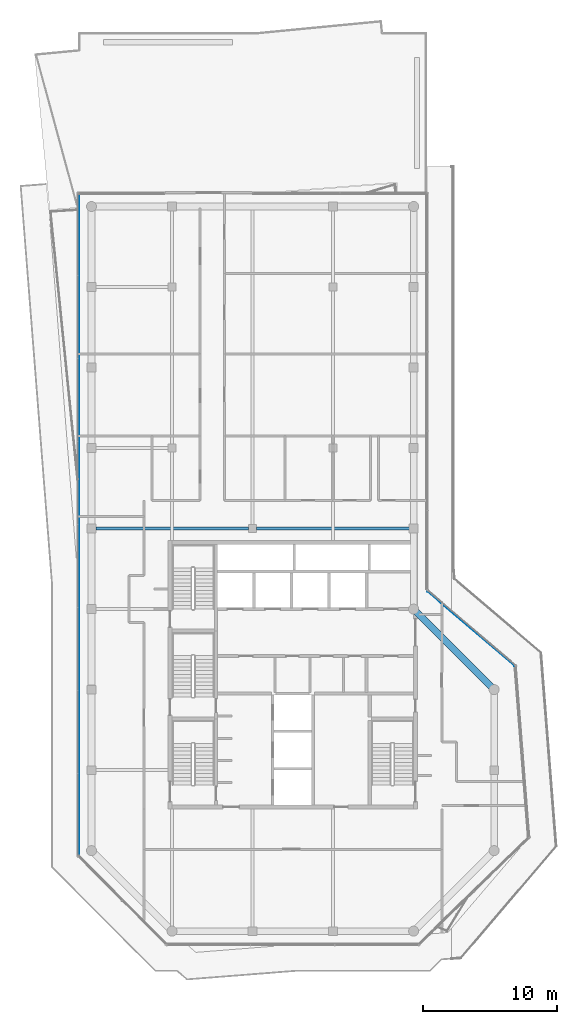
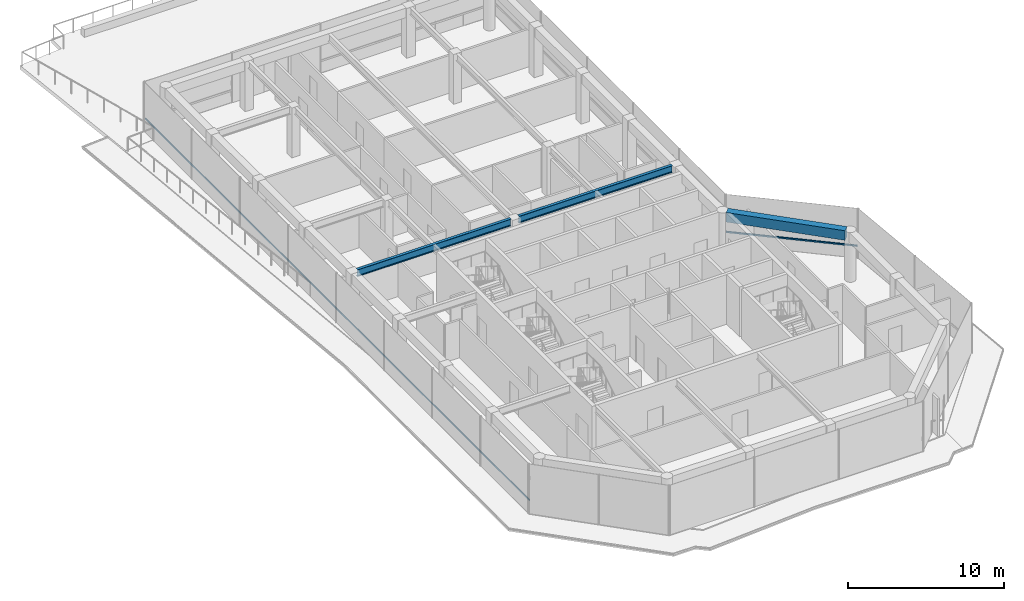
# One storey, part 6 of 20: 3 beams, 2 members, 2 elements without a shape of their own.
"""IFC4 building model written with IfcOpenShell, lengths in metres."""

from ifc_helpers import new_model, si_unit, direction, frame, origin, origin_2d, place, context, subcontext, project, spatial, rectangle, i_section, extrude, material, layer, layer_set, material_profile, profile_set, type_object, element, aggregate, save


model = new_model("IFC4")

# Units and contexts
model_context = context("Model", 3, precision=1e-05, world=origin(), true_north=direction((0.0, 1.0)))
body_context = subcontext(model_context, "Body", "Model", "MODEL_VIEW")
ifc_project = project(units=[si_unit("LENGTHUNIT", "METRE"), si_unit("AREAUNIT", "SQUARE_METRE"), si_unit("VOLUMEUNIT", "CUBIC_METRE"), si_unit("PLANEANGLEUNIT", "RADIAN"), si_unit("MASSUNIT", "GRAM", prefix="KILO")], contexts=[model_context])

# Site, building, storey
site_placement = place(None, origin())
site = spatial("IfcSite", under=ifc_project, at=site_placement, CompositionType="ELEMENT")
building_placement = place(site_placement, origin())
building = spatial("IfcBuilding", under=site, at=building_placement, Name="Welwitschia Terrace Campus", CompositionType="ELEMENT")
storey_placement = place(building_placement, frame((0.0, 0.0, 314.60009765625)))
storey = spatial("IfcBuildingStorey", under=building, at=storey_placement, Name="L70", CompositionType="ELEMENT", Elevation=314.60009765625)

# Beams
ifc_material_1 = material(Name="Steel S355", Category="steel")
ifc_material_profile_1 = material_profile(ifc_material_1, i_section(OverallWidth=0.2099609375, OverallDepth=0.550048828125, WebThickness=0.010986328125, FlangeThickness=0.01708984375, FilletRadius=0.02392578125, at=origin_2d()))
ifc_profile_set_1 = profile_set([ifc_material_profile_1], Name="Steel S355")
beam_type_1 = type_object("IfcBeamType", Name="Interior girder IPE 550", PredefinedType="BEAM", material=ifc_profile_set_1)
for number, where, z_axis, x_axis, name in (
    (1, (0.3154296875, 26.0, 3.625), (1.0, 0.0, 0.0), (0.0, 1.0, 0.0), "Girder GB7"),
    (2, (12.300537109375, 26.0, 3.625), (1.0, 0.0, 0.0), (0.0, 1.0, 0.0), "Girder GB7"),
):
    element("IfcBeam", number, at=place(storey_placement, frame(where, z_axis=z_axis, x_axis=x_axis)), inside=storey, type_object=beam_type_1, Name=name, PredefinedType="BEAM", context=body_context, shape_type="SweptSolid", body=[
        extrude(i_section(OverallWidth=0.2099609375, OverallDepth=0.550048828125, WebThickness=0.010986328125, FlangeThickness=0.01708984375, FilletRadius=0.02392578125, at=origin_2d()), origin(), (0.0, 0.0, 1.0), 11.384033203125),
    ])
ifc_material_2 = material(Name="Concrete C40/50", Category="concrete")
ifc_material_profile_2 = material_profile(ifc_material_2, rectangle(XDim=0.5, YDim=0.75, at=origin_2d()))
ifc_profile_set_2 = profile_set([ifc_material_profile_2], Name="Concrete C40/50")
beam_type_2 = type_object("IfcBeamType", Name="Ring spandrel 500x750", PredefinedType="SPANDREL", material=ifc_profile_set_2)
beam_placement = place(storey_placement, frame((29.8017578125, 14.1982421875, 3.52490234375), z_axis=(-0.707106781187, 0.707106781187, 0.0), x_axis=(-0.707106781187, -0.707106781187, 0.0)))
element("IfcBeam", 3, at=beam_placement, inside=storey, type_object=beam_type_2, Name="Spandrel SP5", PredefinedType="SPANDREL", context=body_context, shape_type="SweptSolid", body=[
    extrude(rectangle(XDim=0.5, YDim=0.75, at=origin_2d()), origin(), (0.0, 0.0, 1.0), 7.924560546875),
])

# Curtain wall, member
ifc_material_3 = material(Name="Bronze anodised aluminium", Category="aluminium")
ifc_layer = layer(ifc_material_3, 0.10009765625)
ifc_layer_set = layer_set([ifc_layer], Name="Bronze anodised aluminium")
curtain_wall_type = type_object("IfcCurtainWallType", Name="Curtain wall CW5 crown 6000", PredefinedType="NOTDEFINED", material=ifc_layer_set)
curtain_wall_1_placement = place(storey_placement, origin())
curtain_wall_1 = element("IfcCurtainWall", 4, at=curtain_wall_1_placement, inside=storey, type_object=curtain_wall_type, Name="CW L70.4.0", PredefinedType="NOTDEFINED")
ifc_material_4 = material(Name="Bronze anodised aluminium", Category="aluminium")
ifc_material_profile_3 = material_profile(ifc_material_4, rectangle(XDim=0.050048828125, YDim=0.1201171875, at=origin_2d()))
ifc_profile_set_3 = profile_set([ifc_material_profile_3], Name="Bronze anodised aluminium")
member_type = type_object("IfcMemberType", Name="Transom 50x120", PredefinedType="USERDEFINED", material=ifc_profile_set_3)
member_1_placement = place(storey_placement, frame((31.5341796875, 15.758544921875, 1.0), z_axis=(-0.760407979244, 0.649445690648, 0.0), x_axis=(-0.649445690648, -0.760407979244, 0.0)))
member_1 = element("IfcMember", 5, at=member_1_placement, type_object=member_type, Name="Transom L70.4.0", ObjectType="TRANSOM", PredefinedType="USERDEFINED", context=body_context, shape_type="SweptSolid", body=[
    extrude(rectangle(XDim=0.050048828125, YDim=0.1201171875, at=origin_2d()), origin(), (0.0, 0.0, 1.0), 8.567626953125),
])
aggregate(curtain_wall_1, [member_1])

curtain_wall_2_placement = place(storey_placement, origin())
curtain_wall_2 = element("IfcCurtainWall", 6, at=curtain_wall_2_placement, inside=storey, type_object=curtain_wall_type, Name="CW L70.7.0", PredefinedType="NOTDEFINED")
member_2_placement = place(storey_placement, frame((-0.955078125, 50.97998046875, 1.0), z_axis=(0.0, -1.0, 0.0), x_axis=(1.0, 0.0, 0.0)))
member_2 = element("IfcMember", 7, at=member_2_placement, type_object=member_type, Name="Transom L70.7.0", ObjectType="TRANSOM", PredefinedType="USERDEFINED", context=body_context, shape_type="SweptSolid", body=[
    extrude(rectangle(XDim=0.050048828125, YDim=0.1201171875, at=origin_2d()), origin(), (0.0, 0.0, 1.0), 49.356689453125),
])
aggregate(curtain_wall_2, [member_2])

save(model, "model.ifc")
